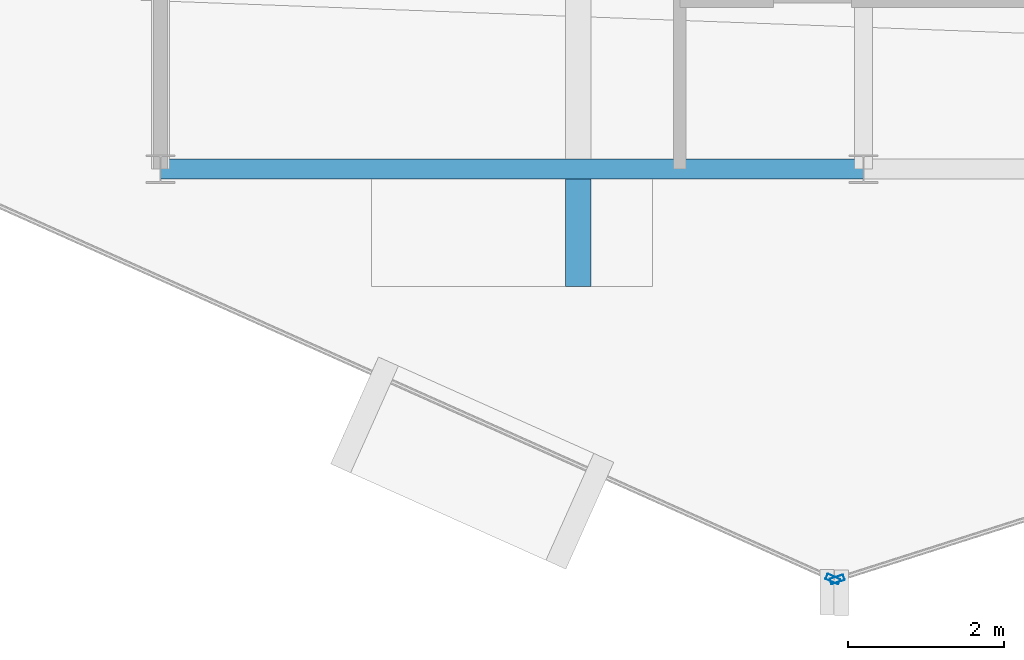
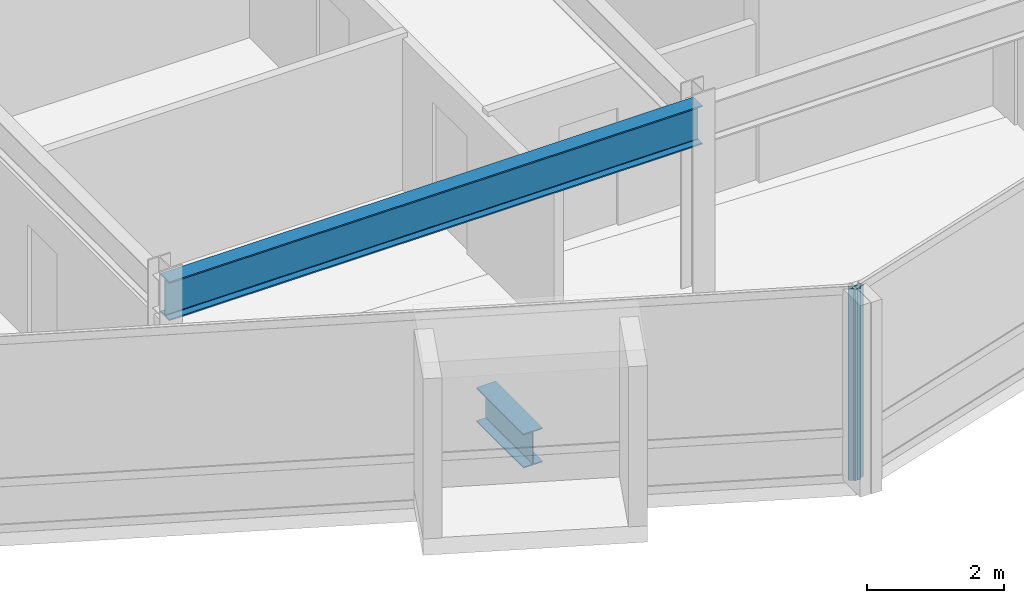
# One storey, part 4 of 19: 2 beams, 2 members, 2 elements without a shape of their own.
"""IFC4 building model written with IfcOpenShell, lengths in metres."""

from ifc_helpers import new_model, si_unit, direction, frame, origin, origin_2d, place, context, subcontext, project, spatial, hollow_rectangle, i_section, extrude, material, layer, layer_set, material_profile, profile_set, type_object, element, aggregate, save


model = new_model("IFC4")

# Units and contexts
model_context = context("Model", 3, precision=1e-05, world=origin(), true_north=direction((0.0, 1.0)))
body_context = subcontext(model_context, "Body", "Model", "MODEL_VIEW")
ifc_project = project(units=[si_unit("LENGTHUNIT", "METRE"), si_unit("AREAUNIT", "SQUARE_METRE"), si_unit("VOLUMEUNIT", "CUBIC_METRE"), si_unit("PLANEANGLEUNIT", "RADIAN"), si_unit("MASSUNIT", "GRAM", prefix="KILO")], contexts=[model_context])

# Site, building, storey
site_placement = place(None, origin())
site = spatial("IfcSite", under=ifc_project, at=site_placement, CompositionType="ELEMENT")
building_placement = place(site_placement, origin())
building = spatial("IfcBuilding", under=site, at=building_placement, Name="Solvaryn Broadcast Tower", CompositionType="ELEMENT")
storey_placement = place(building_placement, frame((0.0, 0.0, 290.0)))
storey = spatial("IfcBuildingStorey", under=building, at=storey_placement, Name="L73", CompositionType="ELEMENT", Elevation=290.0)

# Beams
ifc_material_1 = material(Name="Steel ASTM A992 Grade 50", Category="steel")
ifc_material_profile_1 = material_profile(ifc_material_1, i_section(OverallWidth=0.323974609375, OverallDepth=0.611083984375, WebThickness=0.0126953125, FlangeThickness=0.01904296875, FilletRadius=0.014892578125, at=origin_2d()))
ifc_profile_set_1 = profile_set([ifc_material_profile_1], Name="Steel ASTM A992 Grade 50")
beam_type_1 = type_object("IfcBeamType", Name="BM-CANT-TER", PredefinedType="BEAM", material=ifc_profile_set_1)
beam_1_placement = place(storey_placement, frame((23.35009765625, 8.875, -0.58544921875), z_axis=(0.0, -1.0, 0.0), x_axis=(1.0, 0.0, 0.0)))
element("IfcBeam", 1, at=beam_1_placement, inside=storey, type_object=beam_type_1, Name="L73 Bay-Box Cantilever Bracket 1", PredefinedType="BEAM", context=body_context, shape_type="SweptSolid", body=[
    extrude(i_section(OverallWidth=0.323974609375, OverallDepth=0.611083984375, WebThickness=0.0126953125, FlangeThickness=0.01904296875, FilletRadius=0.014892578125, at=origin_2d()), origin(), (0.0, 0.0, 1.0), 1.375),
])
ifc_material_2 = material(Name="Steel ASTM A992 Grade 50", Category="steel")
ifc_material_profile_2 = material_profile(ifc_material_2, i_section(OverallWidth=0.256103515625, OverallDepth=0.693115234375, WebThickness=0.014404296875, FlangeThickness=0.023681640625, FilletRadius=0.01611328125, at=origin_2d()))
ifc_profile_set_2 = profile_set([ifc_material_profile_2], Name="Steel ASTM A992 Grade 50")
beam_type_2 = type_object("IfcBeamType", Name="BM-SP3-W27X114", PredefinedType="USERDEFINED", material=ifc_profile_set_2)
beam_2_placement = place(storey_placement, frame((18.0, 9.0, 3.073486328125), z_axis=(1.0, 0.0, 0.0), x_axis=(0.0, 1.0, 0.0)))
element("IfcBeam", 2, at=beam_2_placement, inside=storey, type_object=beam_type_2, Name="L73 Spandrel Beam X (18-27 @ Y=9)", ObjectType="SPANDREL", PredefinedType="USERDEFINED", context=body_context, shape_type="SweptSolid", body=[
    extrude(i_section(OverallWidth=0.256103515625, OverallDepth=0.693115234375, WebThickness=0.014404296875, FlangeThickness=0.023681640625, FilletRadius=0.01611328125, at=origin_2d()), origin(), (0.0, 0.0, 1.0), 9.0),
])

# Curtain wall, member
ifc_material_3 = material(Name="Aluminium and Terracotta Unitised Curtain Wall", Category="masonry")
ifc_layer = layer(ifc_material_3, 0.199951171875)
ifc_layer_set = layer_set([ifc_layer], Name="CW-SYS2-LOWMID")
curtain_wall_type = type_object("IfcCurtainWallType", Name="CW-SYS2-LOWMID", PredefinedType="NOTDEFINED", material=ifc_layer_set)
curtain_wall_1_placement = place(storey_placement, origin())
curtain_wall_1 = element("IfcCurtainWall", 3, at=curtain_wall_1_placement, inside=storey, type_object=curtain_wall_type, Name="L73 Curtain Wall DR3", PredefinedType="NOTDEFINED")
ifc_material_4 = material(Name="Anodised Aluminium 6063-T6", Category="aluminium")
ifc_material_profile_3 = material_profile(ifc_material_4, hollow_rectangle(XDim=0.074951171875, YDim=0.179931640625, WallThickness=0.00390625, InnerFilletRadius=0.00390625, OuterFilletRadius=0.008056640625, at=origin_2d()))
ifc_profile_set_3 = profile_set([ifc_material_profile_3], Name="Anodised Aluminium 6063-T6")
member_type = type_object("IfcMemberType", Name="CW-MUL-180", PredefinedType="MULLION", material=ifc_profile_set_3)
member_1_placement = place(storey_placement, frame((26.608642578125, 3.750244140625, 0.0), z_axis=(0.0, 0.0, 1.0), x_axis=(0.408466010682, 0.912773530574, 0.0)))
member_1 = element("IfcMember", 4, at=member_1_placement, type_object=member_type, Name="CWS2 mullion 2", PredefinedType="MULLION", context=body_context, shape_type="SweptSolid", body=[
    extrude(hollow_rectangle(XDim=0.074951171875, YDim=0.179931640625, WallThickness=0.00390625, InnerFilletRadius=0.00390625, OuterFilletRadius=0.008056640625, at=origin_2d()), origin(), (0.0, 0.0, 1.0), 3.419921875),
])
aggregate(curtain_wall_1, [member_1])

curtain_wall_2_placement = place(storey_placement, origin())
curtain_wall_2 = element("IfcCurtainWall", 5, at=curtain_wall_2_placement, inside=storey, type_object=curtain_wall_type, Name="L73 Curtain Wall DR4", PredefinedType="NOTDEFINED")
member_2_placement = place(storey_placement, frame((26.66455078125, 3.7470703125, 0.0), z_axis=(0.0, 0.0, 1.0), x_axis=(-0.30361564569, 0.952794594701, 0.0)))
member_2 = element("IfcMember", 6, at=member_2_placement, type_object=member_type, Name="CWS2 mullion 1", PredefinedType="MULLION", context=body_context, shape_type="SweptSolid", body=[
    extrude(hollow_rectangle(XDim=0.074951171875, YDim=0.179931640625, WallThickness=0.00390625, InnerFilletRadius=0.00390625, OuterFilletRadius=0.008056640625, at=origin_2d()), origin(), (0.0, 0.0, 1.0), 3.419921875),
])
aggregate(curtain_wall_2, [member_2])

save(model, "model.ifc")
